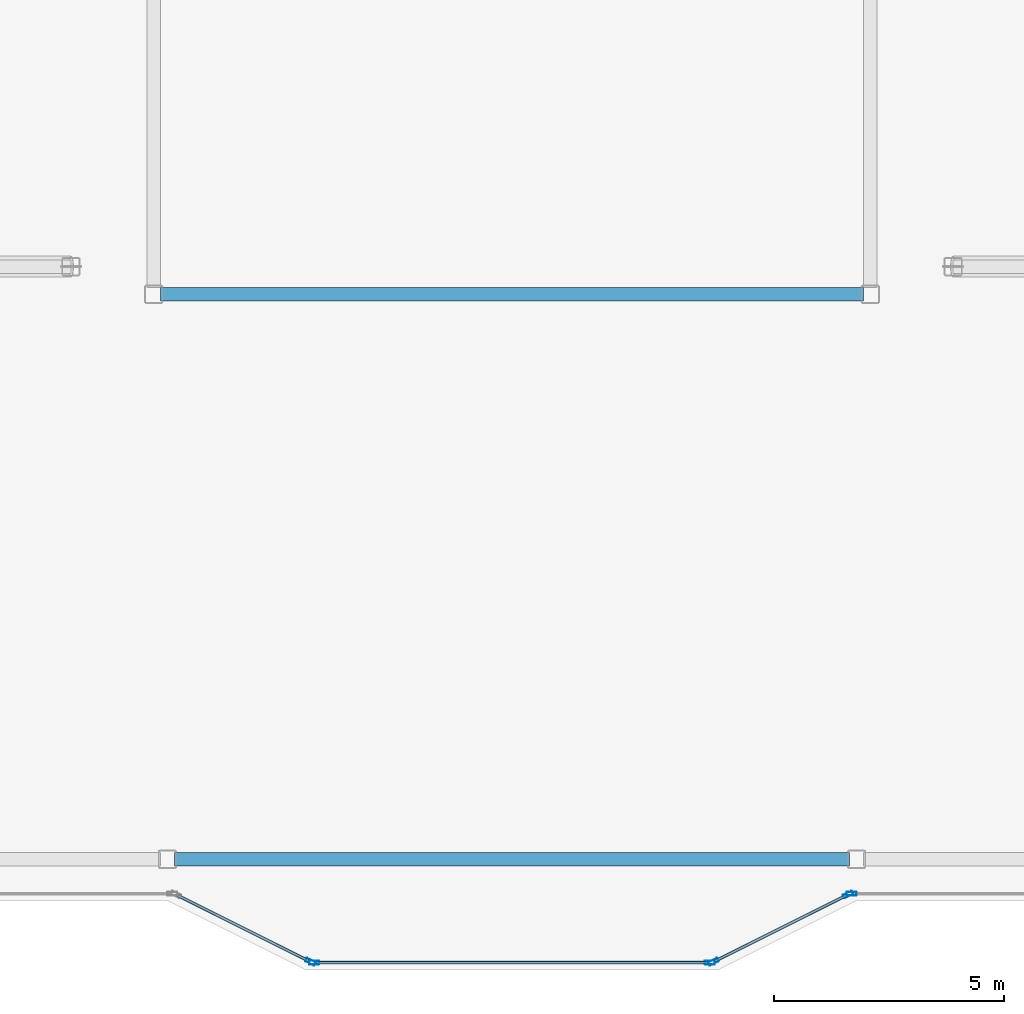
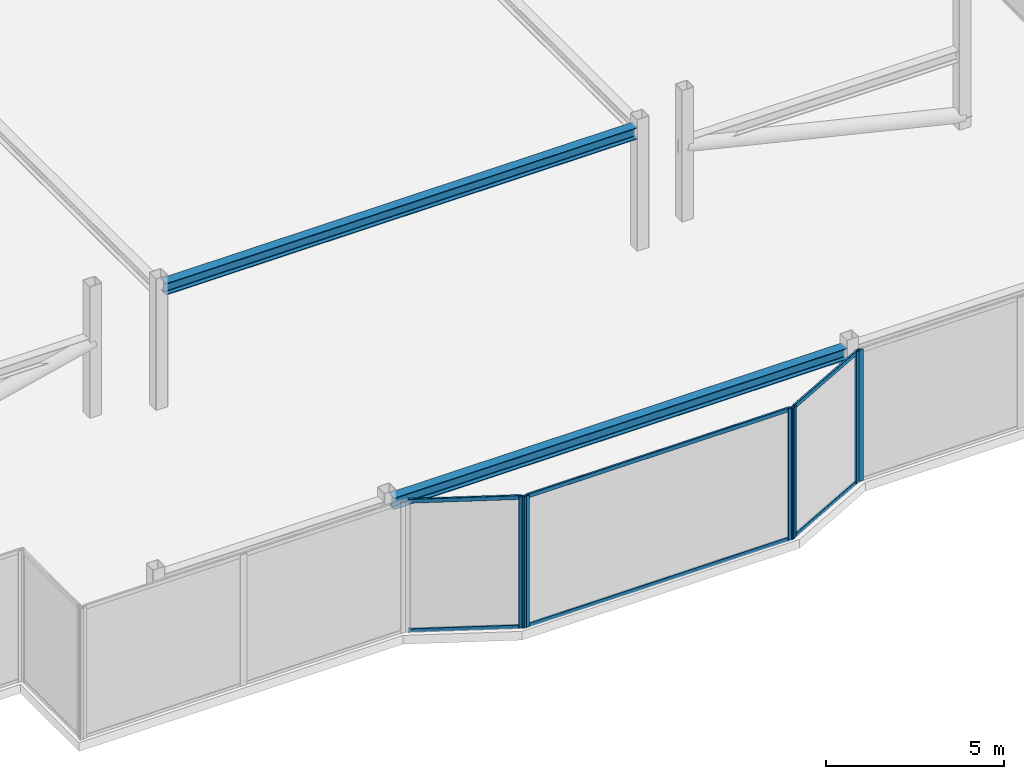
# One storey, part 4 of 14: 12 members, 2 beams, 4 elements without a shape of their own.
"""IFC4 building model written with IfcOpenShell, lengths in metres."""

from ifc_helpers import new_model, si_unit, direction, frame, origin, origin_2d, place, context, subcontext, project, spatial, hollow_rectangle, i_section, extrude, material, layer, layer_set, material_profile, profile_set, type_object, element, aggregate, save


model = new_model("IFC4")

# Units and contexts
model_context = context("Model", 3, precision=1e-05, world=origin(), true_north=direction((0.0, 1.0)))
body_context = subcontext(model_context, "Body", "Model", "MODEL_VIEW")
ifc_project = project(units=[si_unit("LENGTHUNIT", "METRE"), si_unit("AREAUNIT", "SQUARE_METRE"), si_unit("VOLUMEUNIT", "CUBIC_METRE"), si_unit("PLANEANGLEUNIT", "RADIAN"), si_unit("MASSUNIT", "GRAM", prefix="KILO")], contexts=[model_context])

# Site, building, storey
site_placement = place(None, origin())
site = spatial("IfcSite", under=ifc_project, at=site_placement, CompositionType="ELEMENT")
building_placement = place(site_placement, origin())
building = spatial("IfcBuilding", under=site, at=building_placement, Name="Tarnavaz Court Tower", CompositionType="ELEMENT")
storey_placement = place(building_placement, frame((0.0, 0.0, 286.050048828125)))
storey = spatial("IfcBuildingStorey", under=building, at=storey_placement, Name="C02", CompositionType="ELEMENT", Elevation=286.050048828125)

# Beams
ifc_material_1 = material(Name="Steel S355", Category="steel")
ifc_material_profile_1 = material_profile(ifc_material_1, i_section(OverallWidth=0.300048828125, OverallDepth=0.39990234375, WebThickness=0.013427734375, FlangeThickness=0.02392578125, FilletRadius=0.027099609375, at=origin_2d()), Name="HEB 400")
ifc_profile_set_1 = profile_set([ifc_material_profile_1], Name="Steel S355")
beam_type = type_object("IfcBeamType", Name="BM-G-HEB400", PredefinedType="USERDEFINED", material=ifc_profile_set_1)
beam_1_placement = place(storey_placement, frame((-7.64990234375, -7.800048828125, 4.0), z_axis=(1.0, 0.0, 0.0), x_axis=(0.0, 1.0, 0.0)))
element("IfcBeam", 1, at=beam_1_placement, inside=storey, type_object=beam_type, Name="C02 Beam CRG-IW-SW-IW-SE", ObjectType="GIRDER", PredefinedType="USERDEFINED", context=body_context, shape_type="SweptSolid", body=[
    extrude(i_section(OverallWidth=0.300048828125, OverallDepth=0.39990234375, WebThickness=0.013427734375, FlangeThickness=0.02392578125, FilletRadius=0.027099609375, at=origin_2d()), origin(), (0.0, 0.0, 1.0), 15.2998046875),
])
beam_2_placement = place(storey_placement, frame((-7.35009765625, -20.10009765625, 4.0), z_axis=(1.0, 0.0, 0.0), x_axis=(0.0, 1.0, 0.0)))
element("IfcBeam", 2, at=beam_2_placement, inside=storey, type_object=beam_type, Name="C02 Beam CRG-PS-2-PS-3", ObjectType="GIRDER", PredefinedType="USERDEFINED", context=body_context, shape_type="SweptSolid", body=[
    extrude(i_section(OverallWidth=0.300048828125, OverallDepth=0.39990234375, WebThickness=0.013427734375, FlangeThickness=0.02392578125, FilletRadius=0.027099609375, at=origin_2d()), origin(), (0.0, 0.0, 1.0), 14.7001953125),
])

# Curtain wall, member
ifc_material_2 = material(Name="Anodised Aluminium 6063-T6 and Solar Low-E Glazing", Category="aluminium")
ifc_layer = layer(ifc_material_2, 0.2099609375)
ifc_layer_set = layer_set([ifc_layer], Name="Anodised Aluminium 6063-T6 and Solar Low-E Glazing")
curtain_wall_type = type_object("IfcCurtainWallType", Name="CW-SYS-06", PredefinedType="NOTDEFINED", material=ifc_layer_set)
curtain_wall_1_placement = place(storey_placement, origin())
curtain_wall_1 = element("IfcCurtainWall", 3, at=curtain_wall_1_placement, inside=storey, type_object=curtain_wall_type, Name="C02 Slanted Crown Terracotta Curtain Wall 37", PredefinedType="NOTDEFINED")
ifc_material_3 = material(Name="Anodised Aluminium 6063-T6", Category="aluminium")
ifc_material_profile_2 = material_profile(ifc_material_3, hollow_rectangle(XDim=0.0849609375, YDim=0.219970703125, WallThickness=0.006103515625, InnerFilletRadius=0.006103515625, OuterFilletRadius=0.011962890625, at=origin_2d()), Name="ALU RHS 220X85X6")
ifc_profile_set_2 = profile_set([ifc_material_profile_2], Name="Anodised Aluminium 6063-T6")
member_type_1 = type_object("IfcMemberType", Name="CW-MUL-220", PredefinedType="MULLION", material=ifc_profile_set_2)
member_1_placement = place(storey_placement, frame((7.392578125, -20.85009765625, 0.0), z_axis=(0.0, 0.0, 1.0), x_axis=(0.0, -1.0, 0.0)))
member_1 = element("IfcMember", 4, at=member_1_placement, type_object=member_type_1, Name="CW mullion 3", PredefinedType="MULLION", context=body_context, shape_type="SweptSolid", body=[
    extrude(hollow_rectangle(XDim=0.0849609375, YDim=0.219970703125, WallThickness=0.006103515625, InnerFilletRadius=0.006103515625, OuterFilletRadius=0.011962890625, at=origin_2d()), origin(), (0.0, 0.0, 1.0), 4.5),
])
aggregate(curtain_wall_1, [member_1])

# Curtain wall, members
curtain_wall_2_placement = place(storey_placement, origin())
curtain_wall_2 = element("IfcCurtainWall", 5, at=curtain_wall_2_placement, inside=storey, type_object=curtain_wall_type, Name="C02 Slanted Crown Terracotta Curtain Wall 38", PredefinedType="NOTDEFINED")
member_2_placement = place(storey_placement, frame((7.31201171875, -20.868896484375, 0.0), z_axis=(0.0, 0.0, 1.0), x_axis=(0.447213595499, -0.894427191001, 0.0)))
member_2 = element("IfcMember", 6, at=member_2_placement, type_object=member_type_1, Name="CW mullion 1", PredefinedType="MULLION", context=body_context, shape_type="SweptSolid", body=[
    extrude(hollow_rectangle(XDim=0.0849609375, YDim=0.219970703125, WallThickness=0.006103515625, InnerFilletRadius=0.006103515625, OuterFilletRadius=0.011962890625, at=origin_2d()), origin(), (0.0, 0.0, 1.0), 4.5),
])
member_3_placement = place(storey_placement, frame((4.387939453125, -22.3310546875, 0.0), z_axis=(0.0, 0.0, 1.0), x_axis=(0.447213595499, -0.894427191001, 0.0)))
member_3 = element("IfcMember", 7, at=member_3_placement, type_object=member_type_1, Name="CW mullion 2", PredefinedType="MULLION", context=body_context, shape_type="SweptSolid", body=[
    extrude(hollow_rectangle(XDim=0.0849609375, YDim=0.219970703125, WallThickness=0.006103515625, InnerFilletRadius=0.006103515625, OuterFilletRadius=0.011962890625, at=origin_2d()), origin(), (0.0, 0.0, 1.0), 4.5),
])

curtain_wall_3_placement = place(storey_placement, origin())
curtain_wall_3 = element("IfcCurtainWall", 8, at=curtain_wall_3_placement, inside=storey, type_object=curtain_wall_type, Name="C02 Slanted Crown Terracotta Curtain Wall 39", PredefinedType="NOTDEFINED")
member_4_placement = place(storey_placement, frame((4.3076171875, -22.35009765625, 0.0), z_axis=(0.0, 0.0, 1.0), x_axis=(0.0, -1.0, 0.0)))
member_4 = element("IfcMember", 9, at=member_4_placement, type_object=member_type_1, Name="CW mullion 1", PredefinedType="MULLION", context=body_context, shape_type="SweptSolid", body=[
    extrude(hollow_rectangle(XDim=0.0849609375, YDim=0.219970703125, WallThickness=0.006103515625, InnerFilletRadius=0.006103515625, OuterFilletRadius=0.011962890625, at=origin_2d()), origin(), (0.0, 0.0, 1.0), 4.5),
])
member_5_placement = place(storey_placement, frame((-4.3076171875, -22.35009765625, 0.0), z_axis=(0.0, 0.0, 1.0), x_axis=(0.0, -1.0, 0.0)))
member_5 = element("IfcMember", 10, at=member_5_placement, type_object=member_type_1, Name="CW mullion 2", PredefinedType="MULLION", context=body_context, shape_type="SweptSolid", body=[
    extrude(hollow_rectangle(XDim=0.0849609375, YDim=0.219970703125, WallThickness=0.006103515625, InnerFilletRadius=0.006103515625, OuterFilletRadius=0.011962890625, at=origin_2d()), origin(), (0.0, 0.0, 1.0), 4.5),
])

# Curtain wall, member
curtain_wall_4_placement = place(storey_placement, origin())
curtain_wall_4 = element("IfcCurtainWall", 11, at=curtain_wall_4_placement, inside=storey, type_object=curtain_wall_type, Name="C02 Slanted Crown Terracotta Curtain Wall 40", PredefinedType="NOTDEFINED")
member_6_placement = place(storey_placement, frame((-4.387939453125, -22.3310546875, 0.0), z_axis=(0.0, 0.0, 1.0), x_axis=(-0.447213595499, -0.894427191001, 0.0)))
member_6 = element("IfcMember", 12, at=member_6_placement, type_object=member_type_1, Name="CW mullion 1", PredefinedType="MULLION", context=body_context, shape_type="SweptSolid", body=[
    extrude(hollow_rectangle(XDim=0.0849609375, YDim=0.219970703125, WallThickness=0.006103515625, InnerFilletRadius=0.006103515625, OuterFilletRadius=0.011962890625, at=origin_2d()), origin(), (0.0, 0.0, 1.0), 4.5),
])

# Member
ifc_material_profile_3 = material_profile(ifc_material_3, hollow_rectangle(XDim=0.06494140625, YDim=0.139892578125, WallThickness=0.00390625, InnerFilletRadius=0.00390625, OuterFilletRadius=0.008056640625, at=origin_2d()), Name="ALU RHS 140X65X4")
ifc_profile_set_3 = profile_set([ifc_material_profile_3], Name="Anodised Aluminium 6063-T6")
member_type_2 = type_object("IfcMemberType", Name="CW-TRN-140", PredefinedType="USERDEFINED", material=ifc_profile_set_3)
member_7_placement = place(storey_placement, frame((7.27392578125, -20.887939453125, 0.032470703125), z_axis=(-0.894411855509, -0.447244265168, 0.0), x_axis=(0.447244265168, -0.894411855509, 0.0)))
member_7 = element("IfcMember", 13, at=member_7_placement, type_object=member_type_2, Name="CW transom 1.1", ObjectType="TRANSOM", PredefinedType="USERDEFINED", context=body_context, shape_type="SweptSolid", body=[
    extrude(hollow_rectangle(XDim=0.06494140625, YDim=0.139892578125, WallThickness=0.00390625, InnerFilletRadius=0.00390625, OuterFilletRadius=0.008056640625, at=origin_2d()), origin(), (0.0, 0.0, 1.0), 3.18408203125),
])

member_8_placement = place(storey_placement, frame((7.27392578125, -20.887939453125, 4.467529296875), z_axis=(-0.894411855509, -0.447244265168, 0.0), x_axis=(0.447244265168, -0.894411855509, 0.0)))
member_8 = element("IfcMember", 14, at=member_8_placement, type_object=member_type_2, Name="CW transom 1.2", ObjectType="TRANSOM", PredefinedType="USERDEFINED", context=body_context, shape_type="SweptSolid", body=[
    extrude(hollow_rectangle(XDim=0.06494140625, YDim=0.139892578125, WallThickness=0.00390625, InnerFilletRadius=0.00390625, OuterFilletRadius=0.008056640625, at=origin_2d()), origin(), (0.0, 0.0, 1.0), 3.18408203125),
])

aggregate(curtain_wall_2, [member_2, member_3, member_7, member_8])

member_9_placement = place(storey_placement, frame((4.264892578125, -22.35009765625, 0.032470703125), z_axis=(-1.0, 0.0, 0.0), x_axis=(0.0, -1.0, 0.0)))
member_9 = element("IfcMember", 15, at=member_9_placement, type_object=member_type_2, Name="CW transom 1.1", ObjectType="TRANSOM", PredefinedType="USERDEFINED", context=body_context, shape_type="SweptSolid", body=[
    extrude(hollow_rectangle(XDim=0.06494140625, YDim=0.139892578125, WallThickness=0.00390625, InnerFilletRadius=0.00390625, OuterFilletRadius=0.008056640625, at=origin_2d()), origin(), (0.0, 0.0, 1.0), 8.52978515625),
])

member_10_placement = place(storey_placement, frame((4.264892578125, -22.35009765625, 4.467529296875), z_axis=(-1.0, 0.0, 0.0), x_axis=(0.0, -1.0, 0.0)))
member_10 = element("IfcMember", 16, at=member_10_placement, type_object=member_type_2, Name="CW transom 1.2", ObjectType="TRANSOM", PredefinedType="USERDEFINED", context=body_context, shape_type="SweptSolid", body=[
    extrude(hollow_rectangle(XDim=0.06494140625, YDim=0.139892578125, WallThickness=0.00390625, InnerFilletRadius=0.00390625, OuterFilletRadius=0.008056640625, at=origin_2d()), origin(), (0.0, 0.0, 1.0), 8.52978515625),
])

aggregate(curtain_wall_3, [member_4, member_5, member_9, member_10])

member_11_placement = place(storey_placement, frame((-4.426025390625, -22.31201171875, 0.032470703125), z_axis=(-0.894411855509, 0.447244265168, 0.0), x_axis=(-0.447244265168, -0.894411855509, 0.0)))
member_11 = element("IfcMember", 17, at=member_11_placement, type_object=member_type_2, Name="CW transom 1.1", ObjectType="TRANSOM", PredefinedType="USERDEFINED", context=body_context, shape_type="SweptSolid", body=[
    extrude(hollow_rectangle(XDim=0.06494140625, YDim=0.139892578125, WallThickness=0.00390625, InnerFilletRadius=0.00390625, OuterFilletRadius=0.008056640625, at=origin_2d()), origin(), (0.0, 0.0, 1.0), 3.18408203125),
])

member_12_placement = place(storey_placement, frame((-4.426025390625, -22.31201171875, 4.467529296875), z_axis=(-0.894411855509, 0.447244265168, 0.0), x_axis=(-0.447244265168, -0.894411855509, 0.0)))
member_12 = element("IfcMember", 18, at=member_12_placement, type_object=member_type_2, Name="CW transom 1.2", ObjectType="TRANSOM", PredefinedType="USERDEFINED", context=body_context, shape_type="SweptSolid", body=[
    extrude(hollow_rectangle(XDim=0.06494140625, YDim=0.139892578125, WallThickness=0.00390625, InnerFilletRadius=0.00390625, OuterFilletRadius=0.008056640625, at=origin_2d()), origin(), (0.0, 0.0, 1.0), 3.18408203125),
])

aggregate(curtain_wall_4, [member_6, member_11, member_12])

save(model, "model.ifc")
